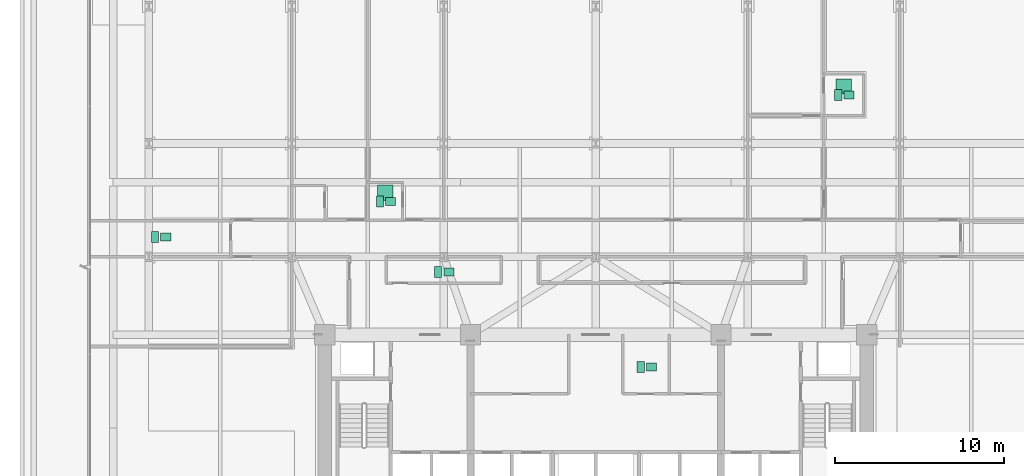
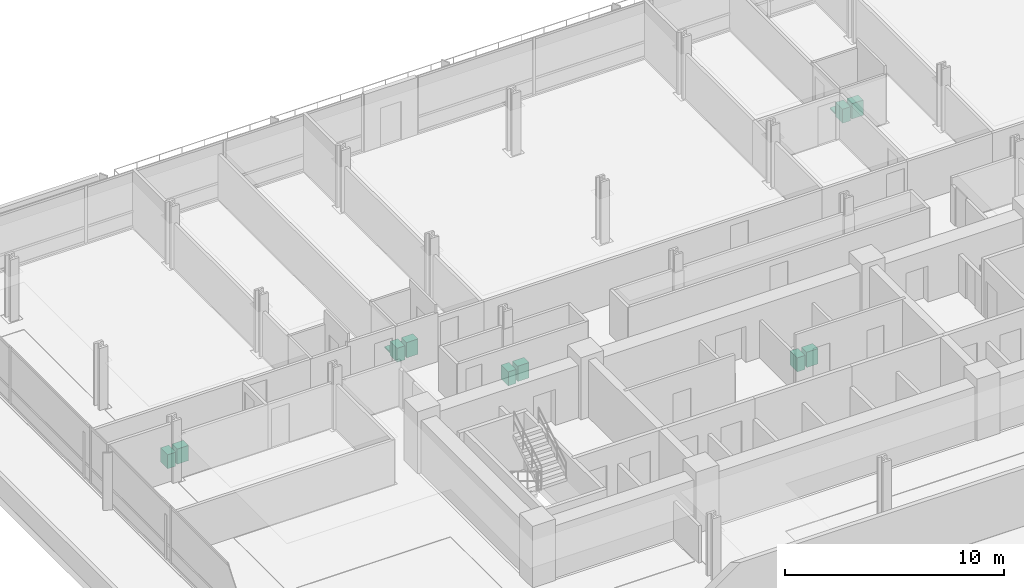
# One storey, part 25 of 25: 12 sanitary terminals.
"""IFC4 building model written with IfcOpenShell, lengths in metres."""

from ifc_helpers import new_model, si_unit, direction, frame, origin, origin_2d, place, context, subcontext, project, spatial, rectangle, extrude, material, type_object, element, save


model = new_model("IFC4")

# Units and contexts
model_context = context("Model", 3, precision=1e-05, world=origin(), true_north=direction((0.0, 1.0)))
body_context = subcontext(model_context, "Body", "Model", "MODEL_VIEW")
ifc_project = project(units=[si_unit("LENGTHUNIT", "METRE"), si_unit("AREAUNIT", "SQUARE_METRE"), si_unit("VOLUMEUNIT", "CUBIC_METRE"), si_unit("PLANEANGLEUNIT", "RADIAN"), si_unit("MASSUNIT", "GRAM", prefix="KILO")], contexts=[model_context])

# Site, building, storey
site_placement = place(None, origin())
site = spatial("IfcSite", under=ifc_project, at=site_placement, CompositionType="ELEMENT")
building_placement = place(site_placement, origin())
building = spatial("IfcBuilding", under=site, at=building_placement, Name="Solmavex Isthmus Hotel", CompositionType="ELEMENT")
storey_placement = place(building_placement, frame((0.0, 0.0, 26.39990234375)))
storey = spatial("IfcBuildingStorey", under=building, at=storey_placement, Name="L06", CompositionType="ELEMENT", Elevation=26.39990234375)

# Sanitary terminals
ifc_material = material(Name="Vitreous china ceramic", Category="ceramic")
sanitary_terminal_type_1 = type_object("IfcSanitaryTerminalType", Name="SAN-BASIN", PredefinedType="WASHHANDBASIN", material=ifc_material)
for number, where, z_axis, x_axis, name in (
    (1, (3.294921875, -4.409912109375, 0.0), (0.0, 0.0, 1.0), (1.0, 0.0, 0.0), "Vanity Washbasin L06-16"),
    (2, (-12.11181640625, 5.375, 0.0), (0.0, 0.0, 1.0), (1.0, 0.0, 0.0), "Vanity Washbasin L06-17"),
    (3, (14.958984375, 11.6630859375, 0.0), (0.0, 0.0, 1.0), (1.0, 0.0, 0.0), "Vanity Washbasin L06-18"),
    (4, (-8.666015625, 1.21240234375, 0.0), (0.0, 0.0, 1.0), (1.0, 0.0, 0.0), "Vanity Washbasin L06-19"),
    (5, (-25.39599609375, 3.277587890625, 0.0), (0.0, 0.0, 1.0), (1.0, 0.0, 0.0), "Vanity Washbasin L06-20"),
):
    element("IfcSanitaryTerminal", number, at=place(storey_placement, frame(where, z_axis=z_axis, x_axis=x_axis)), inside=storey, type_object=sanitary_terminal_type_1, Name=name, PredefinedType="WASHHANDBASIN", context=body_context, shape_type="SweptSolid", body=[
        extrude(rectangle(XDim=0.60009765625, YDim=0.47998046875, at=origin_2d()), origin(), (0.0, 0.0, 1.0), 0.85009765625),
    ])
sanitary_terminal_type_2 = type_object("IfcSanitaryTerminalType", Name="SAN-SHOWER", PredefinedType="SHOWER", material=ifc_material)
for number, where, z_axis, x_axis, name in (
    (6, (-12.431884765625, 5.875, 0.0), (0.0, 0.0, 1.0), (1.0, 0.0, 0.0), "Walk-In Shower L06-17"),
    (7, (14.638916015625, 12.1630859375, 0.0), (0.0, 0.0, 1.0), (1.0, 0.0, 0.0), "Walk-In Shower L06-18"),
):
    element("IfcSanitaryTerminal", number, at=place(storey_placement, frame(where, z_axis=z_axis, x_axis=x_axis)), inside=storey, type_object=sanitary_terminal_type_2, Name=name, PredefinedType="SHOWER", context=body_context, shape_type="SweptSolid", body=[
        extrude(rectangle(XDim=0.89990234375, YDim=0.89990234375, at=origin_2d()), origin(), (0.0, 0.0, 1.0), 0.080078125),
    ])
sanitary_terminal_type_3 = type_object("IfcSanitaryTerminalType", Name="SAN-WC-SUITE", PredefinedType="TOILETPAN", material=ifc_material)
for number, where, z_axis, x_axis, name in (
    (8, (2.655029296875, -4.409912109375, 0.0), (0.0, 0.0, 1.0), (1.0, 0.0, 0.0), "Water Closet L06-16"),
    (9, (-12.751708984375, 5.375, 0.0), (0.0, 0.0, 1.0), (1.0, 0.0, 0.0), "Water Closet L06-17"),
    (10, (14.319091796875, 11.6630859375, 0.0), (0.0, 0.0, 1.0), (1.0, 0.0, 0.0), "Water Closet L06-18"),
    (11, (-9.305908203125, 1.21240234375, 0.0), (0.0, 0.0, 1.0), (1.0, 0.0, 0.0), "Water Closet L06-19"),
    (12, (-26.035888671875, 3.277587890625, 0.0), (0.0, 0.0, 1.0), (1.0, 0.0, 0.0), "Water Closet L06-20"),
):
    element("IfcSanitaryTerminal", number, at=place(storey_placement, frame(where, z_axis=z_axis, x_axis=x_axis)), inside=storey, type_object=sanitary_terminal_type_3, Name=name, PredefinedType="TOILETPAN", context=body_context, shape_type="SweptSolid", body=[
        extrude(rectangle(XDim=0.419921875, YDim=0.64990234375, at=origin_2d()), origin(), (0.0, 0.0, 1.0), 0.780029296875),
    ])

save(model, "model.ifc")
